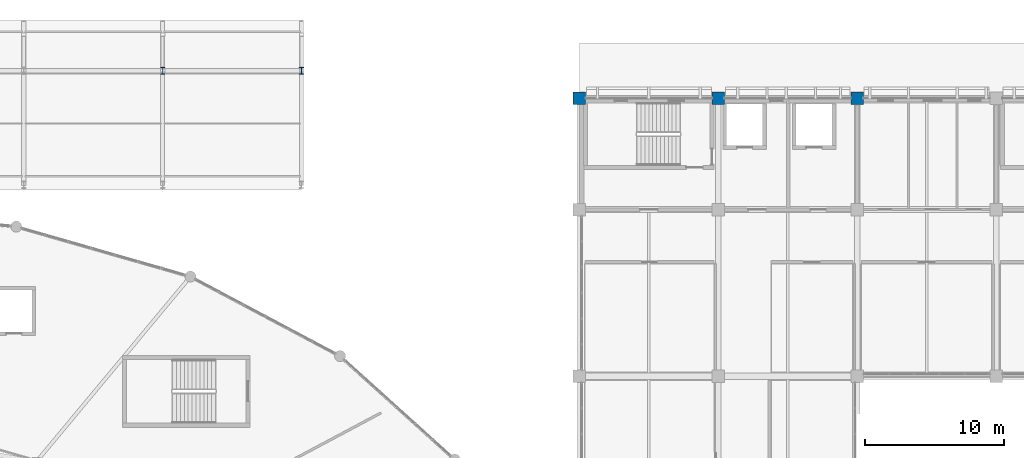
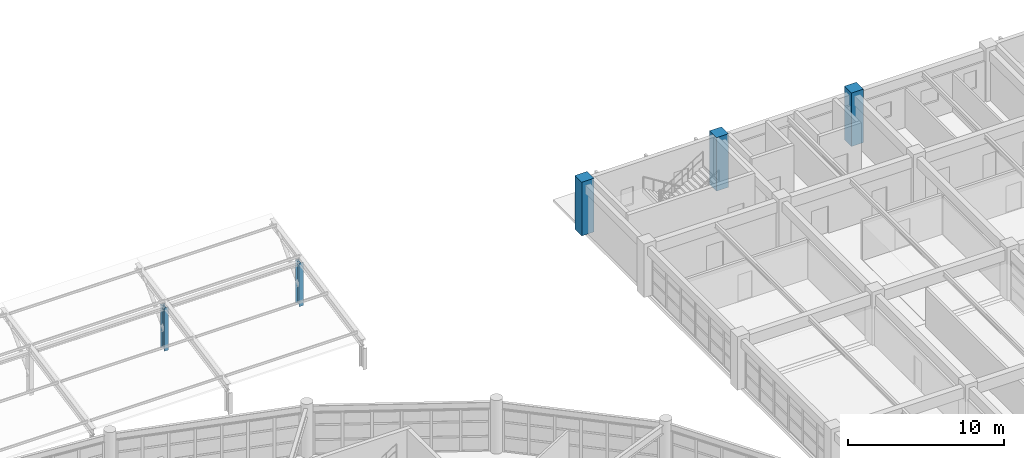
# One storey, part 22 of 100: 5 columns.
"""IFC4 building model written with IfcOpenShell, lengths in metres."""

from ifc_helpers import new_model, si_unit, direction, frame, origin, origin_2d, place, context, subcontext, project, spatial, rectangle, i_section, extrude, material, material_profile, profile_set, type_object, element, save


model = new_model("IFC4")

# Units and contexts
model_context = context("Model", 3, precision=1e-05, world=origin(), true_north=direction((0.0, 1.0)))
body_context = subcontext(model_context, "Body", "Model", "MODEL_VIEW")
ifc_project = project(units=[si_unit("LENGTHUNIT", "METRE"), si_unit("AREAUNIT", "SQUARE_METRE"), si_unit("VOLUMEUNIT", "CUBIC_METRE"), si_unit("PLANEANGLEUNIT", "RADIAN"), si_unit("MASSUNIT", "GRAM", prefix="KILO")], contexts=[model_context])

# Site, building, storey
site_placement = place(None, origin())
site = spatial("IfcSite", under=ifc_project, at=site_placement, CompositionType="ELEMENT")
building_placement = place(site_placement, origin())
building = spatial("IfcBuilding", under=site, at=building_placement, Name="Kivolera Central Railway Station", CompositionType="ELEMENT")
storey_placement = place(building_placement, frame((0.0, 0.0, 5.39990234375)))
storey = spatial("IfcBuildingStorey", under=building, at=storey_placement, Name="L01", CompositionType="ELEMENT", Elevation=5.39990234375)

# Columns
ifc_material_1 = material(Name="Concrete C40/50", Category="concrete")
ifc_material_profile_1 = material_profile(ifc_material_1, rectangle(XDim=0.89990234375, YDim=0.89990234375, at=origin_2d()), Name="RC 900x900")
ifc_profile_set_1 = profile_set([ifc_material_profile_1], Name="Concrete C40/50")
column_type_1 = type_object("IfcColumnType", Name="COL-RC-900", PredefinedType="COLUMN", material=ifc_profile_set_1)
for number, where, z_axis, x_axis, name in (
    (1, (118.0, 134.0, 0.0), (0.0, 0.0, 1.0), (1.0, 0.0, 0.0), "L01 Wing Column 12-M"),
    (2, (128.0, 134.0, 0.0), (0.0, 0.0, 1.0), (1.0, 0.0, 0.0), "L01 Wing Column 13-M"),
    (3, (138.0, 134.0, 0.0), (0.0, 0.0, 1.0), (1.0, 0.0, 0.0), "L01 Wing Column 14-M"),
):
    element("IfcColumn", number, at=place(storey_placement, frame(where, z_axis=z_axis, x_axis=x_axis)), inside=storey, type_object=column_type_1, Name=name, PredefinedType="COLUMN", context=body_context, shape_type="SweptSolid", body=[
        extrude(rectangle(XDim=0.89990234375, YDim=0.89990234375, at=origin_2d()), origin(), (0.0, 0.0, 1.0), 4.2001953125),
    ])
ifc_material_2 = material(Name="Steel S355", Category="steel")
ifc_material_profile_2 = material_profile(ifc_material_2, i_section(OverallWidth=0.300048828125, OverallDepth=0.5, WebThickness=0.014404296875, FlangeThickness=0.028076171875, FilletRadius=0.027099609375, at=origin_2d()), Name="HEB 500")
ifc_profile_set_2 = profile_set([ifc_material_profile_2], Name="Steel S355")
column_type_2 = type_object("IfcColumnType", Name="COL-STL-HEB500", PredefinedType="COLUMN", material=ifc_profile_set_2)
for number, where, z_axis, x_axis, name in (
    (4, (88.0, 136.0, 0.0), (0.0, 0.0, 1.0), (1.0, 0.0, 0.0), "L01 Forecourt Canopy Upper Pier 7N"),
    (5, (98.0, 136.0, 0.0), (0.0, 0.0, 1.0), (1.0, 0.0, 0.0), "L01 Forecourt Canopy Upper Pier 8N"),
):
    element("IfcColumn", number, at=place(storey_placement, frame(where, z_axis=z_axis, x_axis=x_axis)), inside=storey, type_object=column_type_2, Name=name, PredefinedType="COLUMN", context=body_context, shape_type="SweptSolid", body=[
        extrude(i_section(OverallWidth=0.300048828125, OverallDepth=0.5, WebThickness=0.014404296875, FlangeThickness=0.028076171875, FilletRadius=0.027099609375, at=origin_2d()), origin(), (0.0, 0.0, 1.0), 3.400146484375),
    ])

save(model, "model.ifc")
